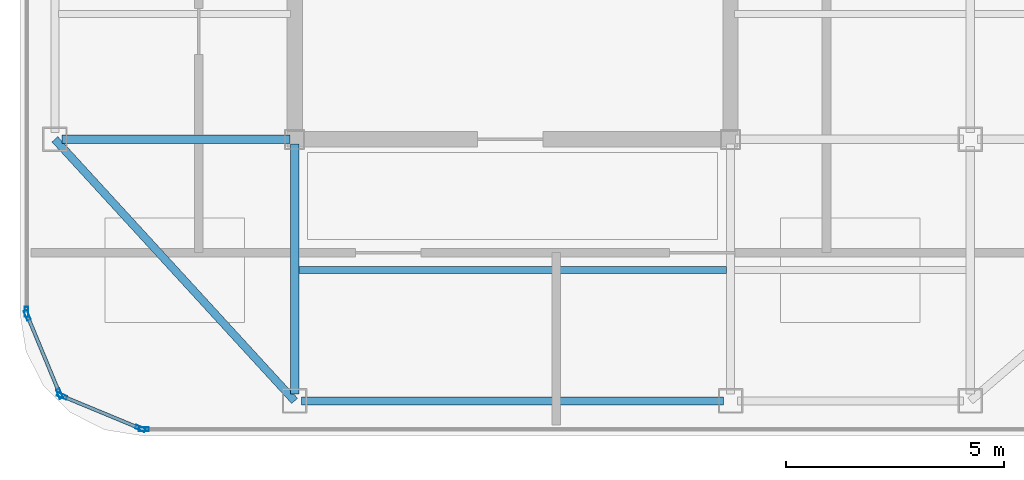
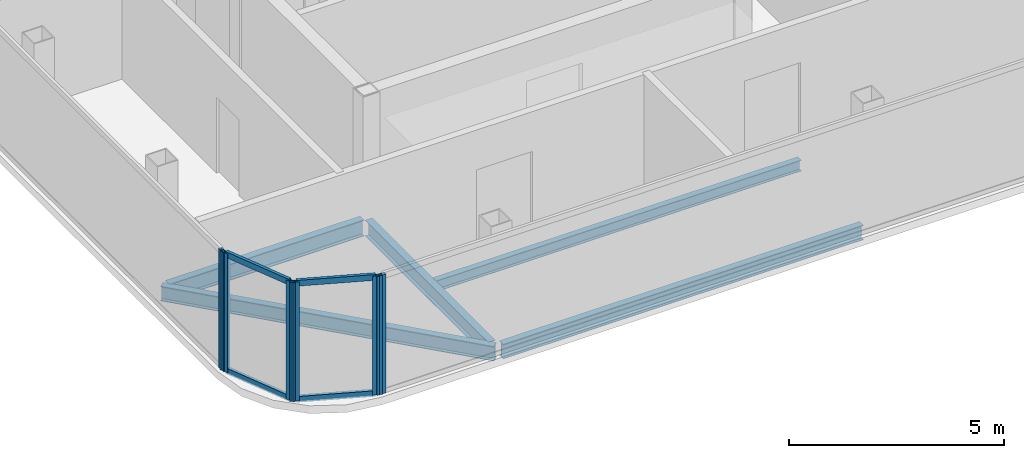
# One storey, part 2 of 11: 10 members, 5 beams, 4 elements without a shape of their own.
"""IFC4 building model written with IfcOpenShell, lengths in metres."""

import ifcopenshell
import ifcopenshell.guid

model = None  # the IFC model being written
_history = None  # IfcOwnerHistory: only IFC2X3 demands one
_inside = {}  # id of a spatial element -> (the spatial element, [elements in it])
_under = {}  # id of a project, library or spatial element -> (it, [spatial elements below it])
_declared = {}  # id of a project -> (the project, [libraries it declares])
_typed = {}  # id of a type object -> (the type object, [elements of that type])
_made_of = {}  # id of a material, layer set ... -> (it, [elements and type objects made of it])


def new_model(schema):
    """Start an empty IFC model of exactly this schema.

    Asked for "IFC4X3", IfcOpenShell would pick the latest addendum, in which some entities
    have other attributes; the version numbers below select the first issue.
    IFC2X3 requires an IfcOwnerHistory on every rooted entity: one is made here for all.
    """
    global model, _history
    if schema == "IFC4X3":
        model = ifcopenshell.file(schema_version=(4, 3, 0, 0))
    else:
        model = ifcopenshell.file(schema=schema)
    _inside.clear()
    _under.clear()
    _declared.clear()
    _typed.clear()
    _made_of.clear()
    _history = None
    if model.schema == "IFC2X3":
        org = make("IfcOrganization", Name="unknown")
        user = make(
            "IfcPersonAndOrganization",
            ThePerson=make("IfcPerson", FamilyName="unknown"),
            TheOrganization=org,
        )
        app = make(
            "IfcApplication",
            ApplicationDeveloper=org,
            Version="unknown",
            ApplicationFullName="unknown",
            ApplicationIdentifier="unknown",
        )
        _history = make(
            "IfcOwnerHistory",
            OwningUser=user,
            OwningApplication=app,
            ChangeAction="ADDED",
            CreationDate=0,
        )
    return model


def make(cls, **values):
    """One entity of the class cls with the attributes given. An attribute that is None is left unset."""
    return model.create_entity(
        cls, **{name: value for name, value in values.items() if value is not None}
    )


def rooted(cls, **values):
    """An entity with a GlobalId (a new one), such as an element, a storey or a relation."""
    return make(cls, GlobalId=ifcopenshell.guid.new(), OwnerHistory=_history, **values)


def si_unit(unit_type, name, prefix=None):
    """IfcSIUnit, for example si_unit("LENGTHUNIT", "METRE", prefix="MILLI")."""
    return make("IfcSIUnit", UnitType=unit_type, Prefix=prefix, Name=name)


def assignment(units):
    """IfcUnitAssignment: the units of a project."""
    return None if units is None else make("IfcUnitAssignment", Units=units)


def point(xyz):
    """IfcCartesianPoint."""
    return None if xyz is None else make("IfcCartesianPoint", Coordinates=xyz)


def direction(xyz):
    """IfcDirection."""
    return None if xyz is None else make("IfcDirection", DirectionRatios=xyz)


def frame(location, z_axis=None, x_axis=None):
    """IfcAxis2Placement3D, a coordinate frame: its origin and axes. An axis left out is left unset."""
    return make(
        "IfcAxis2Placement3D",
        Location=point(location),
        Axis=direction(z_axis),
        RefDirection=direction(x_axis),
    )


def frame_2d(location, x_axis=None):
    """IfcAxis2Placement2D, a coordinate frame in the plane: its origin and x axis."""
    return make(
        "IfcAxis2Placement2D", Location=point(location), RefDirection=direction(x_axis)
    )


def origin():
    """The frame at (0, 0, 0) with its axes left unset."""
    return frame((0.0, 0.0, 0.0))


def origin_2d():
    """The frame at (0, 0) in the plane with its x axis left unset."""
    return frame_2d((0.0, 0.0))


def place(relative_to, where):
    """IfcLocalPlacement: puts the frame where relative to a parent placement (None: the world)."""
    return make(
        "IfcLocalPlacement", PlacementRelTo=relative_to, RelativePlacement=where
    )


def context(
    kind, dimensions, precision=None, world=None, true_north=None, identifier=None
):
    """IfcGeometricRepresentationContext, for example the 3D "Model" context."""
    return make(
        "IfcGeometricRepresentationContext",
        ContextIdentifier=identifier,
        ContextType=kind,
        CoordinateSpaceDimension=dimensions,
        Precision=precision,
        WorldCoordinateSystem=world,
        TrueNorth=true_north,
    )


def subcontext(parent, identifier, kind, view, scale=None):
    """IfcGeometricRepresentationSubContext, for example "Body" below "Model"."""
    return make(
        "IfcGeometricRepresentationSubContext",
        ContextIdentifier=identifier,
        ContextType=kind,
        ParentContext=parent,
        TargetScale=scale,
        TargetView=view,
    )


def project(units=None, contexts=None):
    """IfcProject with its units and contexts."""
    return rooted(
        "IfcProject",
        Name="project",
        RepresentationContexts=contexts,
        UnitsInContext=assignment(units),
    )


def spatial(cls, under=None, at=None, **own):
    """A site, building, storey or space (cls), placed at a placement, below another one or the project."""
    s = rooted(cls, ObjectPlacement=at, **own)
    if under is not None:
        _under.setdefault(under.id(), (under, []))[1].append(s)
    return s


def profile(cls, at=None, kind="AREA", **sizes):
    """A parametric profile (cls). Its sizes go by their IFC names, for example OverallWidth=200.0."""
    return make(cls, ProfileType=kind, Position=at, **sizes)


def hollow_rectangle(**sizes):
    """IfcRectangleHollowProfileDef."""
    return profile("IfcRectangleHollowProfileDef", **sizes)


def i_section(**sizes):
    """IfcIShapeProfileDef."""
    return profile("IfcIShapeProfileDef", **sizes)


def extrude(swept, where, along, depth):
    """IfcExtrudedAreaSolid: the profile swept, set in the frame where, extruded along a direction by depth."""
    return make(
        "IfcExtrudedAreaSolid",
        SweptArea=swept,
        Position=where,
        ExtrudedDirection=direction(along),
        Depth=depth,
    )


def shape(context_of_items, identifier, shape_type, items):
    """IfcShapeRepresentation: the items that make up one representation, for example the "Body"."""
    return make(
        "IfcShapeRepresentation",
        ContextOfItems=context_of_items,
        RepresentationIdentifier=identifier,
        RepresentationType=shape_type,
        Items=items,
    )


def source(mapping_origin, context_of_items, identifier, shape_type, items):
    """IfcRepresentationMap: a shape defined once, which mapped items show again and again."""
    return make(
        "IfcRepresentationMap",
        MappingOrigin=mapping_origin,
        MappedRepresentation=shape(context_of_items, identifier, shape_type, items),
    )


def transform(
    local_origin,
    x_axis=None,
    y_axis=None,
    z_axis=None,
    scale=None,
    scale2=None,
    scale3=None,
    uniform=True,
):
    """IfcCartesianTransformationOperator3D, or its non-uniform kind. x_axis, y_axis, z_axis: its Axis1, 2, 3."""
    if uniform:
        return make(
            "IfcCartesianTransformationOperator3D",
            Axis1=direction(x_axis),
            Axis2=direction(y_axis),
            LocalOrigin=point(local_origin),
            Scale=scale,
            Axis3=direction(z_axis),
        )
    return make(
        "IfcCartesianTransformationOperator3DnonUniform",
        Axis1=direction(x_axis),
        Axis2=direction(y_axis),
        LocalOrigin=point(local_origin),
        Scale=scale,
        Axis3=direction(z_axis),
        Scale2=scale2,
        Scale3=scale3,
    )


def mapped(mapping_source, mapping_target):
    """IfcMappedItem: shows the shape of a source again, moved by a transform."""
    return make(
        "IfcMappedItem", MappingSource=mapping_source, MappingTarget=mapping_target
    )


def material(Name=None, Category=None):
    """IfcMaterial."""
    return make("IfcMaterial", Name=Name, Category=Category)


def layer(
    of_material, thickness, ventilated=None, Name=None, Category=None, Priority=None
):
    """IfcMaterialLayer: one layer of a wall or slab, of a material (None: an air gap)."""
    return make(
        "IfcMaterialLayer",
        Material=of_material,
        LayerThickness=thickness,
        IsVentilated=ventilated,
        Name=Name,
        Category=Category,
        Priority=Priority,
    )


def layer_set(layers, Name=None):
    """IfcMaterialLayerSet."""
    return make("IfcMaterialLayerSet", MaterialLayers=layers, LayerSetName=Name)


def material_profile(
    of_material, cross_section, Name=None, Category=None, Priority=None
):
    """IfcMaterialProfile: a cross section and its material."""
    return make(
        "IfcMaterialProfile",
        Name=Name,
        Material=of_material,
        Profile=cross_section,
        Priority=Priority,
        Category=Category,
    )


def profile_set(profiles, Name=None, composite=None):
    """IfcMaterialProfileSet."""
    return make(
        "IfcMaterialProfileSet",
        Name=Name,
        MaterialProfiles=profiles,
        CompositeProfile=composite,
    )


def made_of(thing, what):
    """Note that an element or type object is made of a material, layer set ...; save() writes the relation."""
    if what is not None:
        _made_of.setdefault(what.id(), (what, []))[1].append(thing)
    return thing


def type_object(cls, material=None, **own):
    """A type object (cls), such as IfcWallType, which elements share."""
    return made_of(rooted(cls, **own), material)


def element(
    cls,
    number,
    at=None,
    inside=None,
    cuts=None,
    type_object=None,
    material=None,
    context=None,
    identifier="Body",
    shape_type=None,
    held_by="IfcProductDefinitionShape",
    body=None,
    shapes=None,
    **own,
):
    """One element of the class cls, such as IfcWall. Its Tag is "e" and its number.

    at: its placement. inside: the storey or other place that contains it. cuts: it is an
    opening in that element (IfcRelVoidsElement). A single representation is given by context,
    identifier, shape_type and body (its items); several are given by shapes. held_by: the class
    of the entity that holds the representations. save() writes the other relations.
    """
    e = rooted(cls, Tag="e%d" % number, ObjectPlacement=at, **own)
    if body is not None:
        shapes = [shape(context, identifier, shape_type, body)]
    if shapes is not None:
        e.Representation = make(held_by, Representations=shapes)
    if inside is not None:
        _inside.setdefault(inside.id(), (inside, []))[1].append(e)
    if cuts is not None:
        rooted(
            "IfcRelVoidsElement", RelatingBuildingElement=cuts, RelatedOpeningElement=e
        )
    if type_object is not None:
        _typed.setdefault(type_object.id(), (type_object, []))[1].append(e)
    return made_of(e, material)


def aggregate(whole, parts):
    """IfcRelAggregates: a whole, such as a stair, and the parts it consists of."""
    return rooted("IfcRelAggregates", RelatingObject=whole, RelatedObjects=parts)


def save(model, path):
    """Write the relations noted so far, then the file.

    IfcRelAggregates (storeys below a building ...), IfcRelContainedInSpatialStructure (elements
    in a storey), IfcRelDefinesByType, IfcRelAssociatesMaterial and IfcRelDeclares: one each for
    every whole, place, type object, material and project.
    """
    for whole, parts in _under.values():
        aggregate(whole, parts)
    for where, things in _inside.values():
        rooted(
            "IfcRelContainedInSpatialStructure",
            RelatedElements=things,
            RelatingStructure=where,
        )
    for kind, things in _typed.values():
        rooted("IfcRelDefinesByType", RelatedObjects=things, RelatingType=kind)
    for what, things in _made_of.values():
        rooted("IfcRelAssociatesMaterial", RelatedObjects=things, RelatingMaterial=what)
    for by, libraries in _declared.values():
        rooted("IfcRelDeclares", RelatingContext=by, RelatedDefinitions=libraries)
    model.write(path)


model = new_model("IFC4")

# Units and contexts
model_context = context("Model", 3, precision=1e-05, world=origin(), true_north=direction((0.0, 1.0)))
body_context = subcontext(model_context, "Body", "Model", "MODEL_VIEW")
ifc_project = project(units=[si_unit("LENGTHUNIT", "METRE"), si_unit("AREAUNIT", "SQUARE_METRE"), si_unit("VOLUMEUNIT", "CUBIC_METRE"), si_unit("PLANEANGLEUNIT", "RADIAN"), si_unit("MASSUNIT", "GRAM", prefix="KILO")], contexts=[model_context])

# Site, building, storey
site_placement = place(None, origin())
site = spatial("IfcSite", under=ifc_project, at=site_placement, CompositionType="ELEMENT")
building_placement = place(site_placement, origin())
building = spatial("IfcBuilding", under=site, at=building_placement, Name="Kolveth Station Tower", CompositionType="ELEMENT")
storey_placement = place(building_placement, frame((0.0, 0.0, 282.10009765625)))
storey = spatial("IfcBuildingStorey", under=building, at=storey_placement, Name="L81", CompositionType="ELEMENT", Elevation=282.10009765625)

# Beams
ifc_material_1 = material(Name="Steel S355", Category="steel")
ifc_material_profile_1 = material_profile(ifc_material_1, i_section(OverallWidth=0.180908203125, OverallDepth=0.4169921875, WebThickness=0.010986328125, FlangeThickness=0.018310546875, at=origin_2d()), Name="W410x85")
ifc_profile_set_1 = profile_set([ifc_material_profile_1], Name="Steel S355")
beam_type_1 = type_object("IfcBeamType", Name="Beam_B8", PredefinedType="BEAM", material=ifc_profile_set_1)
shared_shape_1 = source(origin(), body_context, "Body", "SweptSolid", [
    extrude(i_section(OverallWidth=0.180908203125, OverallDepth=0.4169921875, WebThickness=0.010986328125, FlangeThickness=0.018310546875, at=origin_2d()), origin(), (0.0, 0.0, 1.0), 9.68017578125),
])
beam_1_placement = place(storey_placement, frame((18.659912109375, 5.5, -0.4287109375), z_axis=(1.0, 0.0, 0.0), x_axis=(0.0, 1.0, 0.0)))
element("IfcBeam", 1, at=beam_1_placement, inside=storey, type_object=beam_type_1, Name="L81 Perimeter Spandrel BM-L81-PS-1", PredefinedType="BEAM", context=body_context, shape_type="MappedRepresentation", body=[
    mapped(shared_shape_1, transform((0.0, 0.0, 0.0), x_axis=(1.0, 0.0, 0.0), y_axis=(0.0, 1.0, 0.0), z_axis=(0.0, 0.0, 1.0), scale=1.0)),
])
ifc_material_profile_2 = material_profile(ifc_material_1, i_section(OverallWidth=0.19091796875, OverallDepth=0.4599609375, WebThickness=0.010009765625, FlangeThickness=0.01611328125, at=origin_2d()), Name="W460x82")
ifc_profile_set_2 = profile_set([ifc_material_profile_2], Name="Steel S355")
beam_type_2 = type_object("IfcBeamType", Name="Beam_B7", PredefinedType="BEAM", material=ifc_profile_set_2)
shared_shape_2 = source(origin(), body_context, "Body", "SweptSolid", [
    extrude(i_section(OverallWidth=0.19091796875, OverallDepth=0.4599609375, WebThickness=0.010009765625, FlangeThickness=0.01611328125, at=origin_2d()), origin(), (0.0, 0.0, 1.0), 5.22998046875),
])
beam_2_placement = place(storey_placement, frame((13.159912109375, 11.5, -0.4501953125), z_axis=(1.0, 0.0, 0.0), x_axis=(0.0, 1.0, 0.0)))
element("IfcBeam", 2, at=beam_2_placement, inside=storey, type_object=beam_type_2, Name="L81 Primary Girder BM-L81-GY115-1", PredefinedType="BEAM", context=body_context, shape_type="MappedRepresentation", body=[
    mapped(shared_shape_2, transform((0.0, 0.0, 0.0), x_axis=(1.0, 0.0, 0.0), y_axis=(0.0, 1.0, 0.0), z_axis=(0.0, 0.0, 1.0), scale=1.0)),
])
shared_shape_3 = source(origin(), body_context, "Body", "SweptSolid", [
    extrude(i_section(OverallWidth=0.19091796875, OverallDepth=0.4599609375, WebThickness=0.010009765625, FlangeThickness=0.01611328125, at=origin_2d()), origin(), (0.0, 0.0, 1.0), 5.72998046875),
])
beam_3_placement = place(storey_placement, frame((18.5, 5.659912109375, -0.4501953125), z_axis=(0.0, 1.0, 0.0), x_axis=(-1.0, 0.0, 0.0)))
element("IfcBeam", 3, at=beam_3_placement, inside=storey, type_object=beam_type_2, Name="L81 Primary Girder BM-L81-GX185-1", PredefinedType="BEAM", context=body_context, shape_type="MappedRepresentation", body=[
    mapped(shared_shape_3, transform((0.0, 0.0, 0.0), x_axis=(1.0, 0.0, 0.0), y_axis=(0.0, 1.0, 0.0), z_axis=(0.0, 0.0, 1.0), scale=1.0)),
])
ifc_material_profile_3 = material_profile(ifc_material_1, i_section(OverallWidth=0.1650390625, OverallDepth=0.31005859375, WebThickness=0.005859375, FlangeThickness=0.009765625, at=origin_2d()), Name="W310x39")
ifc_profile_set_3 = profile_set([ifc_material_profile_3], Name="Steel S355")
beam_type_3 = type_object("IfcBeamType", Name="Beam_J3", PredefinedType="JOIST", material=ifc_profile_set_3)
shared_shape_4 = source(origin(), body_context, "Body", "SweptSolid", [
    extrude(i_section(OverallWidth=0.1650390625, OverallDepth=0.31005859375, WebThickness=0.005859375, FlangeThickness=0.009765625, at=origin_2d()), origin(), (0.0, 0.0, 1.0), 9.81298828125),
])
beam_4_placement = place(storey_placement, frame((18.593505859375, 8.5, -0.375), z_axis=(1.0, 0.0, 0.0), x_axis=(0.0, 1.0, 0.0)))
element("IfcBeam", 4, at=beam_4_placement, inside=storey, type_object=beam_type_3, Name="L81 Secondary Joist JST-L81-2-1", PredefinedType="JOIST", context=body_context, shape_type="MappedRepresentation", body=[
    mapped(shared_shape_4, transform((0.0, 0.0, 0.0), x_axis=(1.0, 0.0, 0.0), y_axis=(0.0, 1.0, 0.0), z_axis=(0.0, 0.0, 1.0), scale=1.0)),
])
shared_shape_5 = source(origin(), body_context, "Body", "SweptSolid", [
    extrude(i_section(OverallWidth=0.180908203125, OverallDepth=0.4169921875, WebThickness=0.010986328125, FlangeThickness=0.018310546875, at=origin_2d()), origin(), (0.0, 0.0, 1.0), 8.139404296875),
])
beam_5_placement = place(storey_placement, frame((13.0, 11.5, -0.4287109375), z_axis=(0.675724628517, -0.737154140201, 0.0), x_axis=(0.737154140201, 0.675724628517, 0.0)))
element("IfcBeam", 5, at=beam_5_placement, inside=storey, type_object=beam_type_1, Name="L81 Corner Edge Girder BM-L81-CNR-SW", PredefinedType="BEAM", context=body_context, shape_type="MappedRepresentation", body=[
    mapped(shared_shape_5, transform((0.0, 0.0, 0.0), x_axis=(1.0, 0.0, 0.0), y_axis=(0.0, 1.0, 0.0), z_axis=(0.0, 0.0, 1.0), scale=1.0)),
])

# Curtain wall, member
ifc_material_2 = material(Name="Black anodized aluminium 6063-T6 and dark crown glass", Category="aluminium")
ifc_layer = layer(ifc_material_2, 0.169921875)
ifc_layer_set = layer_set([ifc_layer], Name="Black anodized aluminium 6063-T6 and dark crown glass")
curtain_wall_type = type_object("IfcCurtainWallType", Name="CurtainWall_CW-CR", PredefinedType="NOTDEFINED", material=ifc_layer_set)
curtain_wall_1_placement = place(storey_placement, origin())
curtain_wall_1 = element("IfcCurtainWall", 6, at=curtain_wall_1_placement, inside=storey, type_object=curtain_wall_type, Name="L81 Stepped Crown Curtain Wall 9", PredefinedType="NOTDEFINED")
ifc_material_3 = material(Name="Black anodized aluminium 6063-T6", Category="aluminium")
ifc_material_profile_4 = material_profile(ifc_material_3, hollow_rectangle(XDim=0.0849609375, YDim=0.22998046875, WallThickness=0.0048828125, at=origin_2d()), Name="ALU-85x230x5")
ifc_profile_set_4 = profile_set([ifc_material_profile_4], Name="Black anodized aluminium 6063-T6")
member_type_1 = type_object("IfcMemberType", Name="Mullion_ML-CR", PredefinedType="MULLION", material=ifc_profile_set_4)
shared_shape_6 = source(origin(), body_context, "Body", "SweptSolid", [
    extrude(hollow_rectangle(XDim=0.0849609375, YDim=0.22998046875, WallThickness=0.0048828125, at=origin_2d()), origin(), (0.0, 0.0, 1.0), 3.3798828125),
])
member_1_placement = place(storey_placement, frame((12.35009765625, 7.54248046875, 0.0), z_axis=(0.0, 0.0, 1.0), x_axis=(1.0, 0.0, 0.0)))
member_1 = element("IfcMember", 7, at=member_1_placement, type_object=member_type_1, Name="CW-CR mullion 2", PredefinedType="MULLION", context=body_context, shape_type="MappedRepresentation", body=[
    mapped(shared_shape_6, transform((0.0, 0.0, 0.0), x_axis=(1.0, 0.0, 0.0), y_axis=(0.0, 1.0, 0.0), z_axis=(0.0, 0.0, 1.0), scale=1.0)),
])
aggregate(curtain_wall_1, [member_1])

# Curtain wall, members
curtain_wall_2_placement = place(storey_placement, origin())
curtain_wall_2 = element("IfcCurtainWall", 8, at=curtain_wall_2_placement, inside=storey, type_object=curtain_wall_type, Name="L81 Stepped Crown Curtain Wall 10", PredefinedType="NOTDEFINED")
member_2_placement = place(storey_placement, frame((12.3662109375, 7.460693359375, 0.0), z_axis=(0.0, 0.0, 1.0), x_axis=(0.92387140439, 0.382703054797, 0.0)))
member_2 = element("IfcMember", 9, at=member_2_placement, type_object=member_type_1, Name="CW-CR mullion 1", PredefinedType="MULLION", context=body_context, shape_type="MappedRepresentation", body=[
    mapped(shared_shape_6, transform((0.0, 0.0, 0.0), x_axis=(1.0, 0.0, 0.0), y_axis=(0.0, 1.0, 0.0), z_axis=(0.0, 0.0, 1.0), scale=1.0)),
])
member_3_placement = place(storey_placement, frame((13.10986328125, 5.66552734375, 0.0), z_axis=(0.0, 0.0, 1.0), x_axis=(0.92387140439, 0.382703054797, 0.0)))
member_3 = element("IfcMember", 10, at=member_3_placement, type_object=member_type_1, Name="CW-CR mullion 2", PredefinedType="MULLION", context=body_context, shape_type="MappedRepresentation", body=[
    mapped(shared_shape_6, transform((0.0, 0.0, 0.0), x_axis=(1.0, 0.0, 0.0), y_axis=(0.0, 1.0, 0.0), z_axis=(0.0, 0.0, 1.0), scale=1.0)),
])

curtain_wall_3_placement = place(storey_placement, origin())
curtain_wall_3 = element("IfcCurtainWall", 11, at=curtain_wall_3_placement, inside=storey, type_object=curtain_wall_type, Name="L81 Stepped Crown Curtain Wall 11", PredefinedType="NOTDEFINED")
member_4_placement = place(storey_placement, frame((13.16552734375, 5.60986328125, 0.0), z_axis=(0.0, 0.0, 1.0), x_axis=(0.382703054797, 0.92387140439, 0.0)))
member_4 = element("IfcMember", 12, at=member_4_placement, type_object=member_type_1, Name="CW-CR mullion 1", PredefinedType="MULLION", context=body_context, shape_type="MappedRepresentation", body=[
    mapped(shared_shape_6, transform((0.0, 0.0, 0.0), x_axis=(1.0, 0.0, 0.0), y_axis=(0.0, 1.0, 0.0), z_axis=(0.0, 0.0, 1.0), scale=1.0)),
])
member_5_placement = place(storey_placement, frame((14.960693359375, 4.8662109375, 0.0), z_axis=(0.0, 0.0, 1.0), x_axis=(0.382703054797, 0.92387140439, 0.0)))
member_5 = element("IfcMember", 13, at=member_5_placement, type_object=member_type_1, Name="CW-CR mullion 2", PredefinedType="MULLION", context=body_context, shape_type="MappedRepresentation", body=[
    mapped(shared_shape_6, transform((0.0, 0.0, 0.0), x_axis=(1.0, 0.0, 0.0), y_axis=(0.0, 1.0, 0.0), z_axis=(0.0, 0.0, 1.0), scale=1.0)),
])

# Curtain wall, member
curtain_wall_4_placement = place(storey_placement, origin())
curtain_wall_4 = element("IfcCurtainWall", 14, at=curtain_wall_4_placement, inside=storey, type_object=curtain_wall_type, Name="L81 Stepped Crown Curtain Wall 12", PredefinedType="NOTDEFINED")
member_6_placement = place(storey_placement, frame((15.04248046875, 4.85009765625, 0.0), z_axis=(0.0, 0.0, 1.0), x_axis=(0.0, 1.0, 0.0)))
member_6 = element("IfcMember", 15, at=member_6_placement, type_object=member_type_1, Name="CW-CR mullion 1", PredefinedType="MULLION", context=body_context, shape_type="MappedRepresentation", body=[
    mapped(shared_shape_6, transform((0.0, 0.0, 0.0), x_axis=(1.0, 0.0, 0.0), y_axis=(0.0, 1.0, 0.0), z_axis=(0.0, 0.0, 1.0), scale=1.0)),
])
aggregate(curtain_wall_4, [member_6])

# Member
ifc_material_profile_5 = material_profile(ifc_material_3, hollow_rectangle(XDim=0.080078125, YDim=0.1650390625, WallThickness=0.0048828125, at=origin_2d()), Name="ALU-80x165x5")
ifc_profile_set_5 = profile_set([ifc_material_profile_5], Name="Black anodized aluminium 6063-T6")
member_type_2 = type_object("IfcMemberType", Name="Transom_TR-CR", PredefinedType="USERDEFINED", material=ifc_profile_set_5)
shared_shape_7 = source(origin(), body_context, "Body", "SweptSolid", [
    extrude(hollow_rectangle(XDim=0.080078125, YDim=0.1650390625, WallThickness=0.0048828125, at=origin_2d()), origin(), (0.0, 0.0, 1.0), 1.858154296875),
])
member_7_placement = place(storey_placement, frame((12.382568359375, 7.42138671875, 0.039794921875), z_axis=(0.382757950997, -0.923848662362, 0.0), x_axis=(0.923848662362, 0.382757950997, 0.0)))
member_7 = element("IfcMember", 16, at=member_7_placement, type_object=member_type_2, Name="CW-CR transom 1.1", ObjectType="TRANSOM", PredefinedType="USERDEFINED", context=body_context, shape_type="MappedRepresentation", body=[
    mapped(shared_shape_7, transform((0.0, 0.0, 0.0), x_axis=(1.0, 0.0, 0.0), y_axis=(0.0, 1.0, 0.0), z_axis=(0.0, 0.0, 1.0), scale=1.0)),
])

member_8_placement = place(storey_placement, frame((12.382568359375, 7.42138671875, 3.33984375), z_axis=(0.382757950997, -0.923848662362, 0.0), x_axis=(0.923848662362, 0.382757950997, 0.0)))
member_8 = element("IfcMember", 17, at=member_8_placement, type_object=member_type_2, Name="CW-CR transom 1.2", ObjectType="TRANSOM", PredefinedType="USERDEFINED", context=body_context, shape_type="MappedRepresentation", body=[
    mapped(shared_shape_7, transform((0.0, 0.0, 0.0), x_axis=(1.0, 0.0, 0.0), y_axis=(0.0, 1.0, 0.0), z_axis=(0.0, 0.0, 1.0), scale=1.0)),
])

aggregate(curtain_wall_2, [member_2, member_3, member_7, member_8])

member_9_placement = place(storey_placement, frame((13.204833984375, 5.59375, 0.039794921875), z_axis=(0.923848662362, -0.382757950997, 0.0), x_axis=(0.382757950997, 0.923848662362, 0.0)))
member_9 = element("IfcMember", 18, at=member_9_placement, type_object=member_type_2, Name="CW-CR transom 1.1", ObjectType="TRANSOM", PredefinedType="USERDEFINED", context=body_context, shape_type="MappedRepresentation", body=[
    mapped(shared_shape_7, transform((0.0, 0.0, 0.0), x_axis=(1.0, 0.0, 0.0), y_axis=(0.0, 1.0, 0.0), z_axis=(0.0, 0.0, 1.0), scale=1.0)),
])

member_10_placement = place(storey_placement, frame((13.204833984375, 5.59375, 3.33984375), z_axis=(0.923848662362, -0.382757950997, 0.0), x_axis=(0.382757950997, 0.923848662362, 0.0)))
member_10 = element("IfcMember", 19, at=member_10_placement, type_object=member_type_2, Name="CW-CR transom 1.2", ObjectType="TRANSOM", PredefinedType="USERDEFINED", context=body_context, shape_type="MappedRepresentation", body=[
    mapped(shared_shape_7, transform((0.0, 0.0, 0.0), x_axis=(1.0, 0.0, 0.0), y_axis=(0.0, 1.0, 0.0), z_axis=(0.0, 0.0, 1.0), scale=1.0)),
])

aggregate(curtain_wall_3, [member_4, member_5, member_9, member_10])

save(model, "model.ifc")
